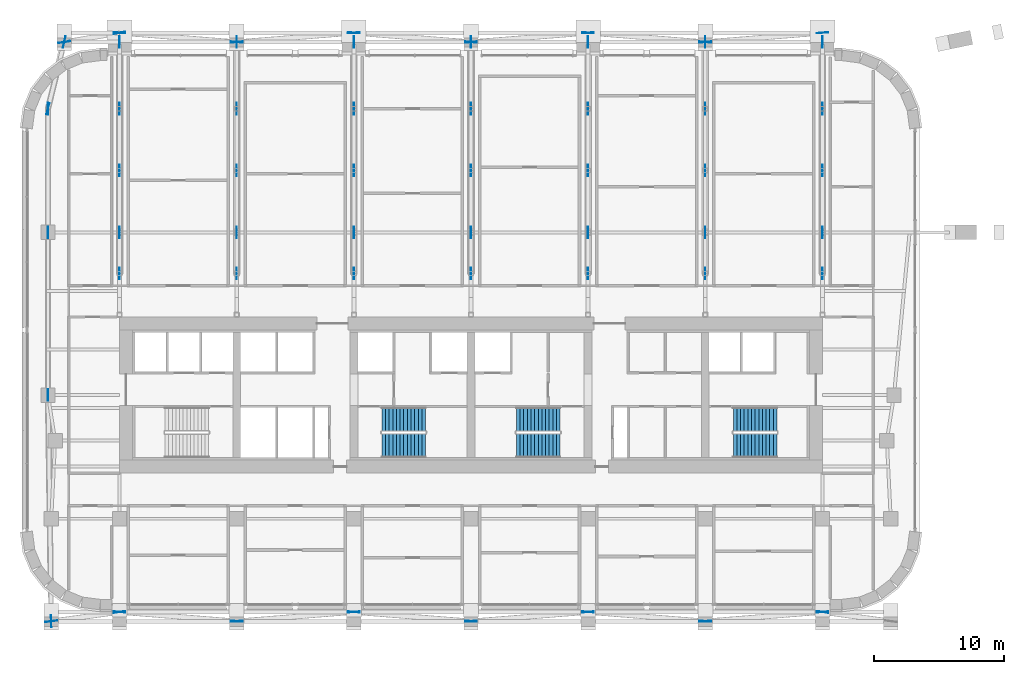
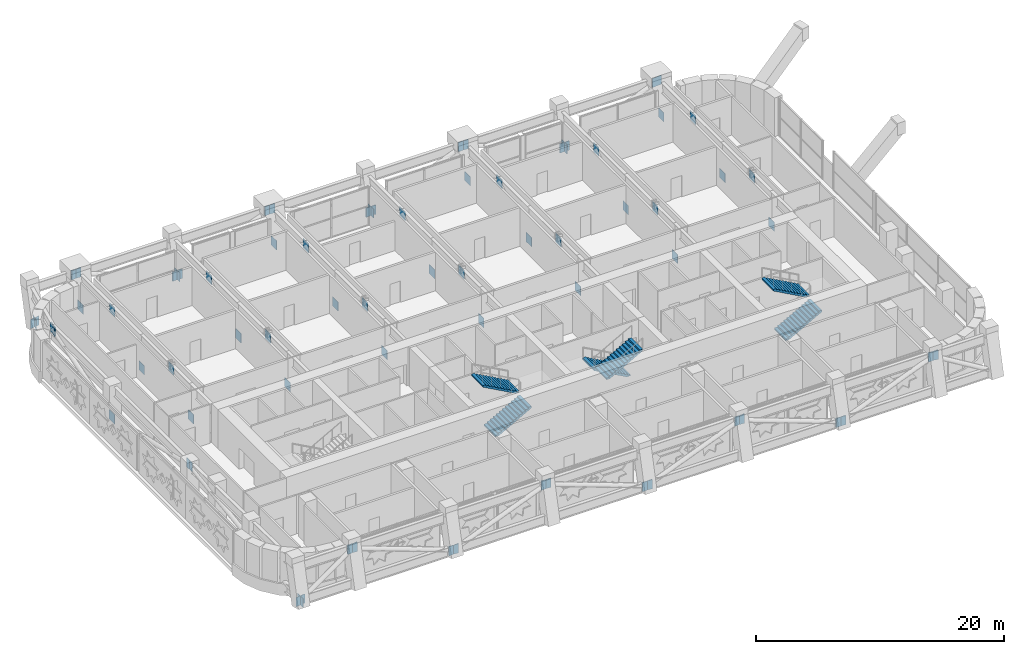
# One storey, part 17 of 27: 71 discrete accessories, 6 stair flights, 3 elements without a shape of their own.
"""IFC4 building model written with IfcOpenShell, lengths in metres."""

from ifc_helpers import new_model, si_unit, direction, frame, origin, origin_2d, place, context, subcontext, project, spatial, polyline, rectangle, outline, extrude, material, type_object, element, aggregate, save


model = new_model("IFC4")

# Units and contexts
model_context = context("Model", 3, precision=1e-05, world=origin(), true_north=direction((0.0, 1.0)))
body_context = subcontext(model_context, "Body", "Model", "MODEL_VIEW")
ifc_project = project(units=[si_unit("LENGTHUNIT", "METRE"), si_unit("AREAUNIT", "SQUARE_METRE"), si_unit("VOLUMEUNIT", "CUBIC_METRE"), si_unit("PLANEANGLEUNIT", "RADIAN"), si_unit("MASSUNIT", "GRAM", prefix="KILO")], contexts=[model_context])

# Site, building, storey
site_placement = place(None, origin())
site = spatial("IfcSite", under=ifc_project, at=site_placement, CompositionType="ELEMENT")
building_placement = place(site_placement, origin())
building = spatial("IfcBuilding", under=site, at=building_placement, Name="Zellij Exchange Tower", CompositionType="ELEMENT")
storey_placement = place(building_placement, frame((0.0, 0.0, 104.5)))
storey = spatial("IfcBuildingStorey", under=building, at=storey_placement, Name="L22", CompositionType="ELEMENT", Elevation=104.5)

# Stair, stair flights
ifc_material = material(Name="Concrete C40/50", Category="concrete")
stair_type = type_object("IfcStairType", Name="CORE-ST exit stair 1850 wide", PredefinedType="HALF_TURN_STAIR", material=ifc_material)
stair_1_placement = place(storey_placement, origin())
stair_1 = element("IfcStair", 1, at=stair_1_placement, inside=storey, type_object=stair_type, Name="L22 exit stair ST2", PredefinedType="HALF_TURN_STAIR")
stair_flight_type = type_object("IfcStairFlightType", Name="CORE-SF flight 1850 riser 153.8 going 280", PredefinedType="STRAIGHT", material=ifc_material)
stair_flight_1_placement = place(storey_placement, frame((-6.85009765625, -11.875, 0.0), z_axis=(0.0, 0.0, 1.0), x_axis=(1.0, 0.0, 0.0)))
stair_flight_1 = element("IfcStairFlight", 2, at=stair_flight_1_placement, type_object=stair_flight_type, Name="ST2 flight 1", NumberOfRisers=13, NumberOfTreads=12, PredefinedType="STRAIGHT", RiserHeight=0.153846154, TreadLength=0.28, context=body_context, shape_type="SweptSolid", body=[
    extrude(outline(polyline([(0.0, 0.0), (0.0, 0.15380859375), (0.280029296875, 0.15380859375), (0.280029296875, 0.3076171875), (0.56005859375, 0.3076171875), (0.56005859375, 0.46142578125), (0.840087890625, 0.46142578125), (0.840087890625, 0.615478515625), (1.1201171875, 0.615478515625), (1.1201171875, 0.769287109375), (1.39990234375, 0.769287109375), (1.39990234375, 0.923095703125), (1.679931640625, 0.923095703125), (1.679931640625, 1.076904296875), (1.9599609375, 1.076904296875), (1.9599609375, 1.230712890625), (2.239990234375, 1.230712890625), (2.239990234375, 1.384521484375), (2.52001953125, 1.384521484375), (2.52001953125, 1.53857421875), (2.800048828125, 1.53857421875), (2.800048828125, 1.6923828125), (3.080078125, 1.6923828125), (3.080078125, 1.84619140625), (3.360107421875, 1.84619140625), (3.360107421875, 2.0), (3.360107421875, 1.675048828125), (0.311279296875, 0.0), (0.0, 0.0)])), frame((0.0, 0.925048828125, 0.0), z_axis=(0.0, -1.0, 0.0), x_axis=(1.0, 0.0, 0.0)), (0.0, 0.0, 1.0), 1.85009765625),
])
stair_flight_2_placement = place(storey_placement, frame((-3.489990234375, -9.875, 2.0), z_axis=(0.0, 0.0, 1.0), x_axis=(-1.0, 0.0, 0.0)))
stair_flight_2 = element("IfcStairFlight", 3, at=stair_flight_2_placement, type_object=stair_flight_type, Name="ST2 flight 2", NumberOfRisers=13, NumberOfTreads=12, PredefinedType="STRAIGHT", RiserHeight=0.153846154, TreadLength=0.28, context=body_context, shape_type="SweptSolid", body=[
    extrude(outline(polyline([(0.0, 0.0), (0.0, 0.15380859375), (0.280029296875, 0.15380859375), (0.280029296875, 0.3076171875), (0.56005859375, 0.3076171875), (0.56005859375, 0.46142578125), (0.840087890625, 0.46142578125), (0.840087890625, 0.615478515625), (1.1201171875, 0.615478515625), (1.1201171875, 0.769287109375), (1.39990234375, 0.769287109375), (1.39990234375, 0.923095703125), (1.679931640625, 0.923095703125), (1.679931640625, 1.076904296875), (1.9599609375, 1.076904296875), (1.9599609375, 1.230712890625), (2.239990234375, 1.230712890625), (2.239990234375, 1.384521484375), (2.52001953125, 1.384521484375), (2.52001953125, 1.53857421875), (2.800048828125, 1.53857421875), (2.800048828125, 1.6923828125), (3.080078125, 1.6923828125), (3.080078125, 1.84619140625), (3.360107421875, 1.84619140625), (3.360107421875, 2.0), (3.360107421875, 1.675048828125), (0.311279296875, 0.0), (0.0, 0.0)])), frame((0.0, 0.925048828125, 0.0), z_axis=(0.0, -1.0, 0.0), x_axis=(1.0, 0.0, 0.0)), (0.0, 0.0, 1.0), 1.85009765625),
])
aggregate(stair_1, [stair_flight_1, stair_flight_2])

stair_2_placement = place(storey_placement, origin())
stair_2 = element("IfcStair", 4, at=stair_2_placement, inside=storey, type_object=stair_type, Name="L22 exit stair ST3", PredefinedType="HALF_TURN_STAIR")
stair_flight_3_placement = place(storey_placement, frame((6.85009765625, -9.875, 0.0), z_axis=(0.0, 0.0, 1.0), x_axis=(-1.0, 0.0, 0.0)))
stair_flight_3 = element("IfcStairFlight", 5, at=stair_flight_3_placement, type_object=stair_flight_type, Name="ST3 flight 1", NumberOfRisers=13, NumberOfTreads=12, PredefinedType="STRAIGHT", RiserHeight=0.153846154, TreadLength=0.28, context=body_context, shape_type="SweptSolid", body=[
    extrude(outline(polyline([(0.0, 0.0), (0.0, 0.15380859375), (0.280029296875, 0.15380859375), (0.280029296875, 0.3076171875), (0.56005859375, 0.3076171875), (0.56005859375, 0.46142578125), (0.840087890625, 0.46142578125), (0.840087890625, 0.615478515625), (1.1201171875, 0.615478515625), (1.1201171875, 0.769287109375), (1.39990234375, 0.769287109375), (1.39990234375, 0.923095703125), (1.679931640625, 0.923095703125), (1.679931640625, 1.076904296875), (1.9599609375, 1.076904296875), (1.9599609375, 1.230712890625), (2.239990234375, 1.230712890625), (2.239990234375, 1.384521484375), (2.52001953125, 1.384521484375), (2.52001953125, 1.53857421875), (2.800048828125, 1.53857421875), (2.800048828125, 1.6923828125), (3.080078125, 1.6923828125), (3.080078125, 1.84619140625), (3.360107421875, 1.84619140625), (3.360107421875, 2.0), (3.360107421875, 1.675048828125), (0.311279296875, 0.0), (0.0, 0.0)])), frame((0.0, 0.925048828125, 0.0), z_axis=(0.0, -1.0, 0.0), x_axis=(1.0, 0.0, 0.0)), (0.0, 0.0, 1.0), 1.85009765625),
])
stair_flight_4_placement = place(storey_placement, frame((3.489990234375, -11.875, 2.0), z_axis=(0.0, 0.0, 1.0), x_axis=(1.0, 0.0, 0.0)))
stair_flight_4 = element("IfcStairFlight", 6, at=stair_flight_4_placement, type_object=stair_flight_type, Name="ST3 flight 2", NumberOfRisers=13, NumberOfTreads=12, PredefinedType="STRAIGHT", RiserHeight=0.153846154, TreadLength=0.28, context=body_context, shape_type="SweptSolid", body=[
    extrude(outline(polyline([(0.0, 0.0), (0.0, 0.15380859375), (0.280029296875, 0.15380859375), (0.280029296875, 0.3076171875), (0.56005859375, 0.3076171875), (0.56005859375, 0.46142578125), (0.840087890625, 0.46142578125), (0.840087890625, 0.615478515625), (1.1201171875, 0.615478515625), (1.1201171875, 0.769287109375), (1.39990234375, 0.769287109375), (1.39990234375, 0.923095703125), (1.679931640625, 0.923095703125), (1.679931640625, 1.076904296875), (1.9599609375, 1.076904296875), (1.9599609375, 1.230712890625), (2.239990234375, 1.230712890625), (2.239990234375, 1.384521484375), (2.52001953125, 1.384521484375), (2.52001953125, 1.53857421875), (2.800048828125, 1.53857421875), (2.800048828125, 1.6923828125), (3.080078125, 1.6923828125), (3.080078125, 1.84619140625), (3.360107421875, 1.84619140625), (3.360107421875, 2.0), (3.360107421875, 1.675048828125), (0.311279296875, 0.0), (0.0, 0.0)])), frame((0.0, 0.925048828125, 0.0), z_axis=(0.0, -1.0, 0.0), x_axis=(1.0, 0.0, 0.0)), (0.0, 0.0, 1.0), 1.85009765625),
])
aggregate(stair_2, [stair_flight_3, stair_flight_4])

stair_3_placement = place(storey_placement, origin())
stair_3 = element("IfcStair", 7, at=stair_3_placement, inside=storey, type_object=stair_type, Name="L22 exit stair ST4", PredefinedType="HALF_TURN_STAIR")
stair_flight_5_placement = place(storey_placement, frame((20.14990234375, -11.875, 0.0), z_axis=(0.0, 0.0, 1.0), x_axis=(1.0, 0.0, 0.0)))
stair_flight_5 = element("IfcStairFlight", 8, at=stair_flight_5_placement, type_object=stair_flight_type, Name="ST4 flight 1", NumberOfRisers=13, NumberOfTreads=12, PredefinedType="STRAIGHT", RiserHeight=0.153846154, TreadLength=0.28, context=body_context, shape_type="SweptSolid", body=[
    extrude(outline(polyline([(0.0, 0.0), (0.0, 0.15380859375), (0.280029296875, 0.15380859375), (0.280029296875, 0.3076171875), (0.56005859375, 0.3076171875), (0.56005859375, 0.46142578125), (0.840087890625, 0.46142578125), (0.840087890625, 0.615478515625), (1.1201171875, 0.615478515625), (1.1201171875, 0.769287109375), (1.39990234375, 0.769287109375), (1.39990234375, 0.923095703125), (1.679931640625, 0.923095703125), (1.679931640625, 1.076904296875), (1.9599609375, 1.076904296875), (1.9599609375, 1.230712890625), (2.239990234375, 1.230712890625), (2.239990234375, 1.384521484375), (2.52001953125, 1.384521484375), (2.52001953125, 1.53857421875), (2.800048828125, 1.53857421875), (2.800048828125, 1.6923828125), (3.080078125, 1.6923828125), (3.080078125, 1.84619140625), (3.360107421875, 1.84619140625), (3.360107421875, 2.0), (3.360107421875, 1.675048828125), (0.311279296875, 0.0), (0.0, 0.0)])), frame((0.0, 0.925048828125, 0.0), z_axis=(0.0, -1.0, 0.0), x_axis=(1.0, 0.0, 0.0)), (0.0, 0.0, 1.0), 1.85009765625),
])
stair_flight_6_placement = place(storey_placement, frame((23.510009765625, -9.875, 2.0), z_axis=(0.0, 0.0, 1.0), x_axis=(-1.0, 0.0, 0.0)))
stair_flight_6 = element("IfcStairFlight", 9, at=stair_flight_6_placement, type_object=stair_flight_type, Name="ST4 flight 2", NumberOfRisers=13, NumberOfTreads=12, PredefinedType="STRAIGHT", RiserHeight=0.153846154, TreadLength=0.28, context=body_context, shape_type="SweptSolid", body=[
    extrude(outline(polyline([(0.0, 0.0), (0.0, 0.15380859375), (0.280029296875, 0.15380859375), (0.280029296875, 0.3076171875), (0.56005859375, 0.3076171875), (0.56005859375, 0.46142578125), (0.840087890625, 0.46142578125), (0.840087890625, 0.615478515625), (1.1201171875, 0.615478515625), (1.1201171875, 0.769287109375), (1.39990234375, 0.769287109375), (1.39990234375, 0.923095703125), (1.679931640625, 0.923095703125), (1.679931640625, 1.076904296875), (1.9599609375, 1.076904296875), (1.9599609375, 1.230712890625), (2.239990234375, 1.230712890625), (2.239990234375, 1.384521484375), (2.52001953125, 1.384521484375), (2.52001953125, 1.53857421875), (2.800048828125, 1.53857421875), (2.800048828125, 1.6923828125), (3.080078125, 1.6923828125), (3.080078125, 1.84619140625), (3.360107421875, 1.84619140625), (3.360107421875, 2.0), (3.360107421875, 1.675048828125), (0.311279296875, 0.0), (0.0, 0.0)])), frame((0.0, 0.925048828125, 0.0), z_axis=(0.0, -1.0, 0.0), x_axis=(1.0, 0.0, 0.0)), (0.0, 0.0, 1.0), 1.85009765625),
])
aggregate(stair_3, [stair_flight_5, stair_flight_6])

# Discrete accessories
for number, where, z_axis, x_axis, name in (
    (10, (-27.0, 1.339111328125, 0.03271484375), (0.0, 0.0, 1.0), (0.0, 1.0, 0.0), "Gusset plate"),
    (11, (-27.0, 4.5, 2.867431640625), (0.0, 0.0, 1.0), (0.0, 1.0, 0.0), "Gusset plate"),
    (12, (-27.0, 9.25, 0.03271484375), (0.0, 0.0, 1.0), (0.0, 1.0, 0.0), "Gusset plate"),
    (13, (-27.0, 14.0, 2.867431640625), (0.0, 0.0, 1.0), (0.0, 1.0, 0.0), "Gusset plate"),
    (14, (-27.0, 19.12060546875, 0.03271484375), (0.0, 0.0, 1.0), (0.0, 1.0, 0.0), "Gusset plate"),
    (15, (-18.0, 1.339111328125, 0.03271484375), (0.0, 0.0, 1.0), (0.0, 1.0, 0.0), "Gusset plate"),
    (16, (-18.0, 4.5, 2.867431640625), (0.0, 0.0, 1.0), (0.0, 1.0, 0.0), "Gusset plate"),
    (17, (-18.0, 9.25, 0.03271484375), (0.0, 0.0, 1.0), (0.0, 1.0, 0.0), "Gusset plate"),
    (18, (-18.0, 14.0, 2.867431640625), (0.0, 0.0, 1.0), (0.0, 1.0, 0.0), "Gusset plate"),
    (19, (-18.0, 19.12060546875, 0.03271484375), (0.0, 0.0, 1.0), (0.0, 1.0, 0.0), "Gusset plate"),
    (20, (-9.0, 1.339111328125, 0.03271484375), (0.0, 0.0, 1.0), (0.0, 1.0, 0.0), "Gusset plate"),
    (21, (-9.0, 4.5, 2.867431640625), (0.0, 0.0, 1.0), (0.0, 1.0, 0.0), "Gusset plate"),
    (22, (-9.0, 9.25, 0.03271484375), (0.0, 0.0, 1.0), (0.0, 1.0, 0.0), "Gusset plate"),
    (23, (-9.0, 14.0, 2.867431640625), (0.0, 0.0, 1.0), (0.0, 1.0, 0.0), "Gusset plate"),
    (24, (-9.0, 19.12060546875, 0.03271484375), (0.0, 0.0, 1.0), (0.0, 1.0, 0.0), "Gusset plate"),
    (25, (0.0, 1.339111328125, 0.03271484375), (0.0, 0.0, 1.0), (0.0, 1.0, 0.0), "Gusset plate"),
    (26, (0.0, 4.5, 2.867431640625), (0.0, 0.0, 1.0), (0.0, 1.0, 0.0), "Gusset plate"),
    (27, (0.0, 9.25, 0.03271484375), (0.0, 0.0, 1.0), (0.0, 1.0, 0.0), "Gusset plate"),
    (28, (0.0, 14.0, 2.867431640625), (0.0, 0.0, 1.0), (0.0, 1.0, 0.0), "Gusset plate"),
    (29, (0.0, 19.12060546875, 0.03271484375), (0.0, 0.0, 1.0), (0.0, 1.0, 0.0), "Gusset plate"),
    (30, (9.0, 1.339111328125, 0.03271484375), (0.0, 0.0, 1.0), (0.0, 1.0, 0.0), "Gusset plate"),
    (31, (9.0, 4.5, 2.867431640625), (0.0, 0.0, 1.0), (0.0, 1.0, 0.0), "Gusset plate"),
    (32, (9.0, 9.25, 0.03271484375), (0.0, 0.0, 1.0), (0.0, 1.0, 0.0), "Gusset plate"),
    (33, (9.0, 14.0, 2.867431640625), (0.0, 0.0, 1.0), (0.0, 1.0, 0.0), "Gusset plate"),
    (34, (9.0, 19.12060546875, 0.03271484375), (0.0, 0.0, 1.0), (0.0, 1.0, 0.0), "Gusset plate"),
    (35, (18.0, 1.339111328125, 0.03271484375), (0.0, 0.0, 1.0), (0.0, 1.0, 0.0), "Gusset plate"),
    (36, (18.0, 4.5, 2.867431640625), (0.0, 0.0, 1.0), (0.0, 1.0, 0.0), "Gusset plate"),
    (37, (18.0, 9.25, 0.03271484375), (0.0, 0.0, 1.0), (0.0, 1.0, 0.0), "Gusset plate"),
    (38, (18.0, 14.0, 2.867431640625), (0.0, 0.0, 1.0), (0.0, 1.0, 0.0), "Gusset plate"),
    (39, (18.0, 19.12060546875, 0.03271484375), (0.0, 0.0, 1.0), (0.0, 1.0, 0.0), "Gusset plate"),
    (40, (27.0, 1.339111328125, 0.03271484375), (0.0, 0.0, 1.0), (0.0, 1.0, 0.0), "Gusset plate"),
    (41, (27.0, 4.5, 2.867431640625), (0.0, 0.0, 1.0), (0.0, 1.0, 0.0), "Gusset plate"),
    (42, (27.0, 9.25, 0.03271484375), (0.0, 0.0, 1.0), (0.0, 1.0, 0.0), "Gusset plate"),
    (43, (27.0, 14.0, 2.867431640625), (0.0, 0.0, 1.0), (0.0, 1.0, 0.0), "Gusset plate"),
    (44, (27.0, 19.12060546875, 0.03271484375), (0.0, 0.0, 1.0), (0.0, 1.0, 0.0), "Gusset plate"),
    (45, (-32.25, -25.382080078125, 0.021240234375), (0.0, 0.0, 1.0), (-0.014381017292, 0.999896587824, 0.0), "Gusset plate"),
    (46, (-32.5, -8.0, 2.87890625), (0.0, 0.0, 1.0), (-0.014381017292, 0.999896587824, 0.0), "Gusset plate"),
    (47, (-32.5, -8.0, 2.87890625), (0.0, 0.0, 1.0), (0.0, 1.0, 0.0), "Gusset plate"),
    (48, (-32.5, 4.5, 0.021240234375), (0.0, 0.0, 1.0), (0.0, 1.0, 0.0), "Gusset plate"),
    (49, (-32.5, 14.0, 2.87890625), (0.0, 0.0, 1.0), (0.0, 1.0, 0.0), "Gusset plate"),
    (50, (-32.5, 14.0, 2.87890625), (0.0, 0.0, 1.0), (0.237270519235, 0.971443616841, 0.0), "Gusset plate"),
    (51, (-31.25, 19.117919921875, 0.021240234375), (0.0, 0.0, 1.0), (0.237270519235, 0.971443616841, 0.0), "Gusset plate"),
    (52, (-31.25, 19.117919921875, 0.021240234375), (0.0, 0.0, 1.0), (0.986164639669, 0.165768825377, 0.0), "Gusset plate"),
    (53, (-27.0, 19.832275390625, 2.87890625), (0.0, 0.0, 1.0), (0.986164639669, 0.165768825377, 0.0), "Gusset plate"),
    (54, (-27.0, 19.832275390625, 2.87890625), (0.0, 0.0, 1.0), (0.996864387946, -0.079128958324, 0.0), "Gusset plate"),
    (55, (-18.0, 19.117919921875, 0.021240234375), (0.0, 0.0, 1.0), (0.996864387946, -0.079128958324, 0.0), "Gusset plate"),
    (56, (-18.0, 19.117919921875, 0.021240234375), (0.0, 0.0, 1.0), (0.996864387946, 0.079128958324, 0.0), "Gusset plate"),
    (57, (-9.0, 19.832275390625, 2.87890625), (0.0, 0.0, 1.0), (0.996864387946, 0.079128958324, 0.0), "Gusset plate"),
    (58, (-9.0, 19.832275390625, 2.87890625), (0.0, 0.0, 1.0), (0.996864387946, -0.079128958324, 0.0), "Gusset plate"),
    (59, (0.0, 19.117919921875, 0.021240234375), (0.0, 0.0, 1.0), (0.996864387946, -0.079128958324, 0.0), "Gusset plate"),
    (60, (0.0, 19.117919921875, 0.021240234375), (0.0, 0.0, 1.0), (0.996864387946, 0.079128958324, 0.0), "Gusset plate"),
    (61, (9.0, 19.832275390625, 2.87890625), (0.0, 0.0, 1.0), (0.996864387946, 0.079128958324, 0.0), "Gusset plate"),
    (62, (9.0, 19.832275390625, 2.87890625), (0.0, 0.0, 1.0), (0.996864387946, -0.079128958324, 0.0), "Gusset plate"),
    (63, (18.0, 19.117919921875, 0.021240234375), (0.0, 0.0, 1.0), (0.996864387946, -0.079128958324, 0.0), "Gusset plate"),
    (64, (18.0, 19.117919921875, 0.021240234375), (0.0, 0.0, 1.0), (0.996864387946, 0.079128958324, 0.0), "Gusset plate"),
    (65, (27.0, 19.832275390625, 2.87890625), (0.0, 0.0, 1.0), (0.996864387946, 0.079128958324, 0.0), "Gusset plate"),
    (66, (-32.25, -25.382080078125, 0.021240234375), (0.0, 0.0, 1.0), (0.990868250829, 0.134833636381, 0.0), "Gusset plate"),
    (67, (-27.0, -24.667724609375, 2.87890625), (0.0, 0.0, 1.0), (0.990868250829, 0.134833636381, 0.0), "Gusset plate"),
    (68, (-27.0, -24.667724609375, 2.87890625), (0.0, 0.0, 1.0), (0.996864387946, -0.079128958324, 0.0), "Gusset plate"),
    (69, (-18.0, -25.382080078125, 0.021240234375), (0.0, 0.0, 1.0), (0.996864387946, -0.079128958324, 0.0), "Gusset plate"),
    (70, (-18.0, -25.382080078125, 0.021240234375), (0.0, 0.0, 1.0), (0.996864387946, 0.079128958324, 0.0), "Gusset plate"),
    (71, (-9.0, -24.667724609375, 2.87890625), (0.0, 0.0, 1.0), (0.996864387946, 0.079128958324, 0.0), "Gusset plate"),
    (72, (-9.0, -24.667724609375, 2.87890625), (0.0, 0.0, 1.0), (0.996864387946, -0.079128958324, 0.0), "Gusset plate"),
    (73, (0.0, -25.382080078125, 0.021240234375), (0.0, 0.0, 1.0), (0.996864387946, -0.079128958324, 0.0), "Gusset plate"),
    (74, (0.0, -25.382080078125, 0.021240234375), (0.0, 0.0, 1.0), (0.996864387946, 0.079128958324, 0.0), "Gusset plate"),
    (75, (9.0, -24.667724609375, 2.87890625), (0.0, 0.0, 1.0), (0.996864387946, 0.079128958324, 0.0), "Gusset plate"),
    (76, (9.0, -24.667724609375, 2.87890625), (0.0, 0.0, 1.0), (0.996864387946, -0.079128958324, 0.0), "Gusset plate"),
    (77, (18.0, -25.382080078125, 0.021240234375), (0.0, 0.0, 1.0), (0.996864387946, -0.079128958324, 0.0), "Gusset plate"),
    (78, (18.0, -25.382080078125, 0.021240234375), (0.0, 0.0, 1.0), (0.996864387946, 0.079128958324, 0.0), "Gusset plate"),
    (79, (27.0, -24.667724609375, 2.87890625), (0.0, 0.0, 1.0), (0.996864387946, 0.079128958324, 0.0), "Gusset plate"),
    (80, (27.0, -24.667724609375, 2.87890625), (0.0, 0.0, 1.0), (0.990868250829, -0.134833636381, 0.0), "Gusset plate"),
):
    element("IfcDiscreteAccessory", number, at=place(storey_placement, frame(where, z_axis=z_axis, x_axis=x_axis)), inside=storey, Name=name, PredefinedType="BRACKET", context=body_context, shape_type="SweptSolid", body=[
        extrude(rectangle(XDim=0.89990234375, YDim=0.030029296875, at=origin_2d()), origin(), (0.0, 0.0, 1.0), 0.89990234375),
    ])

save(model, "model.ifc")
